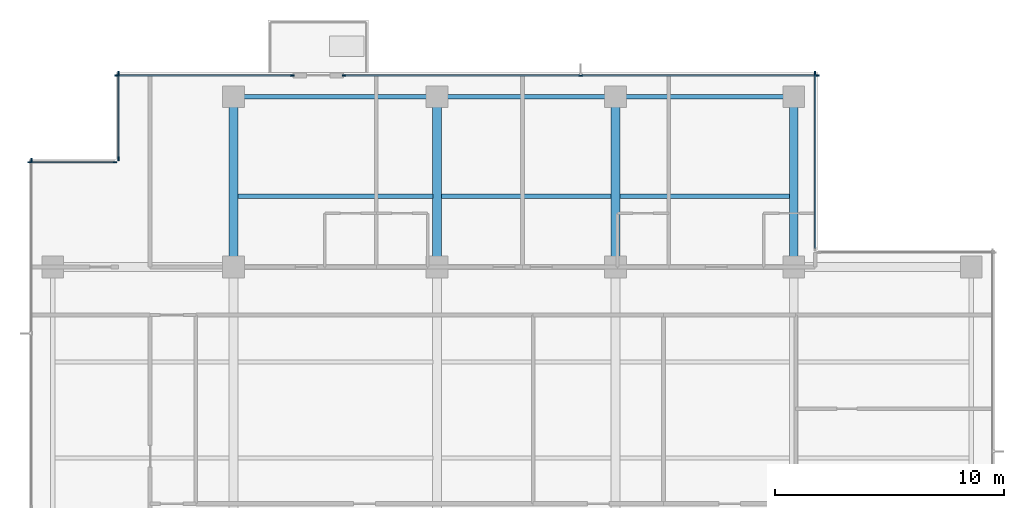
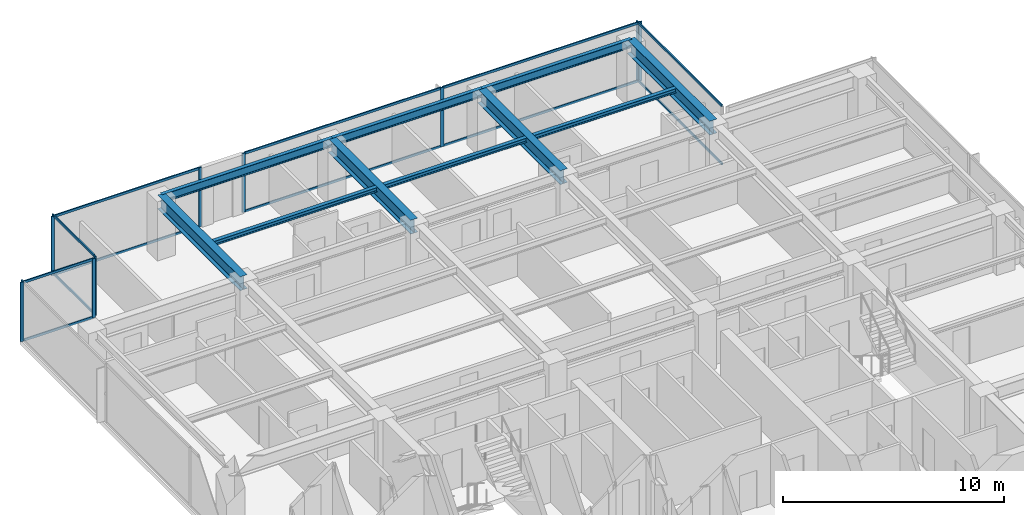
# One storey, part 5 of 14: 23 members, 10 beams, 6 elements without a shape of their own.
"""IFC4 building model written with IfcOpenShell, lengths in metres."""

from ifc_helpers import new_model, si_unit, direction, frame, origin, origin_2d, place, context, subcontext, project, spatial, rectangle, i_section, extrude, material, layer, layer_set, material_profile, profile_set, type_object, element, aggregate, save


model = new_model("IFC4")

# Units and contexts
model_context = context("Model", 3, precision=1e-05, world=origin(), true_north=direction((0.0, 1.0)))
body_context = subcontext(model_context, "Body", "Model", "MODEL_VIEW")
ifc_project = project(units=[si_unit("LENGTHUNIT", "METRE"), si_unit("AREAUNIT", "SQUARE_METRE"), si_unit("VOLUMEUNIT", "CUBIC_METRE"), si_unit("PLANEANGLEUNIT", "RADIAN"), si_unit("MASSUNIT", "GRAM", prefix="KILO")], contexts=[model_context])

# Site, building, storey
site_placement = place(None, origin())
site = spatial("IfcSite", under=ifc_project, at=site_placement, CompositionType="ELEMENT")
building_placement = place(site_placement, origin())
building = spatial("IfcBuilding", under=site, at=building_placement, Name="Qalmaran Belvedere Hotel", CompositionType="ELEMENT")
storey_placement = place(building_placement, frame((0.0, 0.0, 228.39990234375)))
storey = spatial("IfcBuildingStorey", under=building, at=storey_placement, Name="L58", CompositionType="ELEMENT", Elevation=228.39990234375)

# Beams
ifc_material_1 = material(Name="Steel S355JR", Category="steel")
ifc_material_profile_1 = material_profile(ifc_material_1, i_section(OverallWidth=0.201904296875, OverallDepth=0.2470703125, WebThickness=0.00732421875, FlangeThickness=0.010986328125, FilletRadius=0.011962890625, at=origin_2d()), Name="W250X49")
ifc_profile_set_1 = profile_set([ifc_material_profile_1], Name="Steel S355JR")
beam_type_1 = type_object("IfcBeamType", Name="BM-JST-W250X49", PredefinedType="JOIST", material=ifc_profile_set_1)
beam_1_placement = place(storey_placement, frame((20.488525390625, 36.10009765625, 3.13671875), z_axis=(1.0, 0.0, 0.0), x_axis=(0.0, 1.0, 0.0)))
element("IfcBeam", 1, at=beam_1_placement, inside=storey, type_object=beam_type_1, Name="L58 North Floor Joist 042", PredefinedType="JOIST", context=body_context, shape_type="SweptSolid", body=[
    extrude(i_section(OverallWidth=0.201904296875, OverallDepth=0.2470703125, WebThickness=0.00732421875, FlangeThickness=0.010986328125, FilletRadius=0.011962890625, at=origin_2d()), origin(), (0.0, 0.0, 1.0), 8.52294921875),
])
for number, where, z_axis, x_axis, name in (
    (2, (29.388427734375, 36.10009765625, 3.13671875), (1.0, 0.0, 0.0), (0.0, 1.0, 0.0), "L58 North Floor Joist 043"),
    (3, (37.1884765625, 36.10009765625, 3.13671875), (1.0, 0.0, 0.0), (0.0, 1.0, 0.0), "L58 North Floor Joist 044"),
):
    element("IfcBeam", number, at=place(storey_placement, frame(where, z_axis=z_axis, x_axis=x_axis)), inside=storey, type_object=beam_type_1, Name=name, PredefinedType="JOIST", context=body_context, shape_type="SweptSolid", body=[
        extrude(i_section(OverallWidth=0.201904296875, OverallDepth=0.2470703125, WebThickness=0.00732421875, FlangeThickness=0.010986328125, FilletRadius=0.011962890625, at=origin_2d()), origin(), (0.0, 0.0, 1.0), 7.423095703125),
    ])
ifc_material_profile_2 = material_profile(ifc_material_1, i_section(OverallWidth=0.381103515625, OverallDepth=0.77294921875, WebThickness=0.0166015625, FlangeThickness=0.027099609375, FilletRadius=0.02197265625, at=origin_2d()), Name="W760X257")
ifc_profile_set_2 = profile_set([ifc_material_profile_2], Name="Steel S355JR")
beam_type_2 = type_object("IfcBeamType", Name="BM-PG4-W760X257", PredefinedType="USERDEFINED", material=ifc_profile_set_2)
for number, where, z_axis, x_axis, name in (
    (4, (20.300048828125, 33.0, 2.87353515625), (0.0, 1.0, 0.0), (-1.0, 0.0, 0.0), "L58 North Bay Girder 15"),
    (5, (29.199951171875, 33.0, 2.87353515625), (0.0, 1.0, 0.0), (-1.0, 0.0, 0.0), "L58 North Bay Girder 17"),
    (6, (37.0, 33.0, 2.87353515625), (0.0, 1.0, 0.0), (-1.0, 0.0, 0.0), "L58 North Bay Girder 19"),
    (7, (44.800048828125, 33.0, 2.87353515625), (0.0, 1.0, 0.0), (-1.0, 0.0, 0.0), "L58 North Bay Girder 21"),
):
    element("IfcBeam", number, at=place(storey_placement, frame(where, z_axis=z_axis, x_axis=x_axis)), inside=storey, type_object=beam_type_2, Name=name, ObjectType="GIRDER", PredefinedType="USERDEFINED", context=body_context, shape_type="SweptSolid", body=[
        extrude(i_section(OverallWidth=0.381103515625, OverallDepth=0.77294921875, WebThickness=0.0166015625, FlangeThickness=0.027099609375, FilletRadius=0.02197265625, at=origin_2d()), origin(), (0.0, 0.0, 1.0), 7.449951171875),
    ])
ifc_material_profile_3 = material_profile(ifc_material_1, i_section(OverallWidth=0.19189453125, OverallDepth=0.462890625, WebThickness=0.010498046875, FlangeThickness=0.017578125, FilletRadius=0.01611328125, at=origin_2d()), Name="W460X89")
ifc_profile_set_3 = profile_set([ifc_material_profile_3], Name="Steel S355JR")
beam_type_3 = type_object("IfcBeamType", Name="BM-SP2-W460X89", PredefinedType="SPANDREL", material=ifc_profile_set_3)
beam_2_placement = place(storey_placement, frame((20.300048828125, 40.449951171875, 3.028564453125), z_axis=(1.0, 0.0, 0.0), x_axis=(0.0, 1.0, 0.0)))
element("IfcBeam", 8, at=beam_2_placement, inside=storey, type_object=beam_type_3, Name="L58 Perimeter Spandrel 05", PredefinedType="SPANDREL", context=body_context, shape_type="SweptSolid", body=[
    extrude(i_section(OverallWidth=0.19189453125, OverallDepth=0.462890625, WebThickness=0.010498046875, FlangeThickness=0.017578125, FilletRadius=0.01611328125, at=origin_2d()), origin(), (0.0, 0.0, 1.0), 8.89990234375),
])
for number, where, z_axis, x_axis, name in (
    (9, (29.199951171875, 40.449951171875, 3.028564453125), (1.0, 0.0, 0.0), (0.0, 1.0, 0.0), "L58 Perimeter Spandrel 06"),
    (10, (37.0, 40.449951171875, 3.028564453125), (1.0, 0.0, 0.0), (0.0, 1.0, 0.0), "L58 Perimeter Spandrel 07"),
):
    element("IfcBeam", number, at=place(storey_placement, frame(where, z_axis=z_axis, x_axis=x_axis)), inside=storey, type_object=beam_type_3, Name=name, PredefinedType="SPANDREL", context=body_context, shape_type="SweptSolid", body=[
        extrude(i_section(OverallWidth=0.19189453125, OverallDepth=0.462890625, WebThickness=0.010498046875, FlangeThickness=0.017578125, FilletRadius=0.01611328125, at=origin_2d()), origin(), (0.0, 0.0, 1.0), 7.800048828125),
    ])

# Curtain wall, member
ifc_material_2 = material(Name="Anodised Bronze Aluminium", Category="aluminium")
ifc_layer = layer(ifc_material_2, 0.18994140625, Name="Anodised Bronze Aluminium")
ifc_layer_set = layer_set([ifc_layer], Name="Anodised Bronze Aluminium")
curtain_wall_type = type_object("IfcCurtainWallType", Name="CW5-TOWER-UPPER", PredefinedType="NOTDEFINED", material=ifc_layer_set)
curtain_wall_1_placement = place(storey_placement, origin())
curtain_wall_1 = element("IfcCurtainWall", 11, at=curtain_wall_1_placement, inside=storey, type_object=curtain_wall_type, Name="L58 Curtain Wall CW5", PredefinedType="NOTDEFINED")
ifc_material_profile_4 = material_profile(ifc_material_2, rectangle(XDim=0.06494140625, YDim=0.1650390625, at=origin_2d()), Name="CWM65X165")
ifc_profile_set_4 = profile_set([ifc_material_profile_4], Name="Anodised Bronze Aluminium")
member_type_1 = type_object("IfcMemberType", Name="CWM-65X165", PredefinedType="MULLION", material=ifc_profile_set_4)
member_1_placement = place(storey_placement, frame((45.72998046875, 41.467529296875, 0.0), z_axis=(0.0, 0.0, 1.0), x_axis=(-1.0, 0.0, 0.0)))
member_1 = element("IfcMember", 12, at=member_1_placement, type_object=member_type_1, Name="CW5 mullion 2", PredefinedType="MULLION", context=body_context, shape_type="SweptSolid", body=[
    extrude(rectangle(XDim=0.06494140625, YDim=0.1650390625, at=origin_2d()), origin(), (0.0, 0.0, 1.0), 3.260009765625),
])

# Curtain wall, members
curtain_wall_2_placement = place(storey_placement, origin())
curtain_wall_2 = element("IfcCurtainWall", 13, at=curtain_wall_2_placement, inside=storey, type_object=curtain_wall_type, Name="L58 Curtain Wall CW5", PredefinedType="NOTDEFINED")
member_2_placement = place(storey_placement, frame((22.867431640625, 41.3798828125, 0.0), z_axis=(0.0, 0.0, 1.0), x_axis=(0.0, -1.0, 0.0)))
member_2 = element("IfcMember", 14, at=member_2_placement, type_object=member_type_1, Name="CW5 mullion 1", PredefinedType="MULLION", context=body_context, shape_type="SweptSolid", body=[
    extrude(rectangle(XDim=0.06494140625, YDim=0.1650390625, at=origin_2d()), origin(), (0.0, 0.0, 1.0), 3.260009765625),
])
member_3_placement = place(storey_placement, frame((15.1826171875, 41.3798828125, 0.0), z_axis=(0.0, 0.0, 1.0), x_axis=(0.0, -1.0, 0.0)))
member_3 = element("IfcMember", 15, at=member_3_placement, type_object=member_type_1, Name="CW5 mullion 2", PredefinedType="MULLION", context=body_context, shape_type="SweptSolid", body=[
    extrude(rectangle(XDim=0.06494140625, YDim=0.1650390625, at=origin_2d()), origin(), (0.0, 0.0, 1.0), 3.260009765625),
])

curtain_wall_3_placement = place(storey_placement, origin())
curtain_wall_3 = element("IfcCurtainWall", 16, at=curtain_wall_3_placement, inside=storey, type_object=curtain_wall_type, Name="L58 Curtain Wall CW5", PredefinedType="NOTDEFINED")
member_4_placement = place(storey_placement, frame((45.8173828125, 41.3798828125, 0.0), z_axis=(0.0, 0.0, 1.0), x_axis=(0.0, -1.0, 0.0)))
member_4 = element("IfcMember", 17, at=member_4_placement, type_object=member_type_1, Name="CW5 mullion 1", PredefinedType="MULLION", context=body_context, shape_type="SweptSolid", body=[
    extrude(rectangle(XDim=0.06494140625, YDim=0.1650390625, at=origin_2d()), origin(), (0.0, 0.0, 1.0), 3.260009765625),
])
member_5_placement = place(storey_placement, frame((35.47509765625, 41.3798828125, 0.0), z_axis=(0.0, 0.0, 1.0), x_axis=(0.0, -1.0, 0.0)))
member_5 = element("IfcMember", 18, at=member_5_placement, type_object=member_type_1, Name="CW5 mullion 2", PredefinedType="MULLION", context=body_context, shape_type="SweptSolid", body=[
    extrude(rectangle(XDim=0.06494140625, YDim=0.1650390625, at=origin_2d()), origin(), (0.0, 0.0, 1.0), 3.260009765625),
])
member_6_placement = place(storey_placement, frame((25.132568359375, 41.3798828125, 0.0), z_axis=(0.0, 0.0, 1.0), x_axis=(0.0, -1.0, 0.0)))
member_6 = element("IfcMember", 19, at=member_6_placement, type_object=member_type_1, Name="CW5 mullion 3", PredefinedType="MULLION", context=body_context, shape_type="SweptSolid", body=[
    extrude(rectangle(XDim=0.06494140625, YDim=0.1650390625, at=origin_2d()), origin(), (0.0, 0.0, 1.0), 3.260009765625),
])

curtain_wall_4_placement = place(storey_placement, origin())
curtain_wall_4 = element("IfcCurtainWall", 20, at=curtain_wall_4_placement, inside=storey, type_object=curtain_wall_type, Name="L58 Curtain Wall CW5", PredefinedType="NOTDEFINED")
member_7_placement = place(storey_placement, frame((15.27001953125, 41.467529296875, 0.0), z_axis=(0.0, 0.0, 1.0), x_axis=(1.0, 0.0, 0.0)))
member_7 = element("IfcMember", 21, at=member_7_placement, type_object=member_type_1, Name="CW5 mullion 1", PredefinedType="MULLION", context=body_context, shape_type="SweptSolid", body=[
    extrude(rectangle(XDim=0.06494140625, YDim=0.1650390625, at=origin_2d()), origin(), (0.0, 0.0, 1.0), 3.260009765625),
])
member_8_placement = place(storey_placement, frame((15.27001953125, 37.732421875, 0.0), z_axis=(0.0, 0.0, 1.0), x_axis=(1.0, 0.0, 0.0)))
member_8 = element("IfcMember", 22, at=member_8_placement, type_object=member_type_1, Name="CW5 mullion 2", PredefinedType="MULLION", context=body_context, shape_type="SweptSolid", body=[
    extrude(rectangle(XDim=0.06494140625, YDim=0.1650390625, at=origin_2d()), origin(), (0.0, 0.0, 1.0), 3.260009765625),
])

curtain_wall_5_placement = place(storey_placement, origin())
curtain_wall_5 = element("IfcCurtainWall", 23, at=curtain_wall_5_placement, inside=storey, type_object=curtain_wall_type, Name="L58 Curtain Wall CW5", PredefinedType="NOTDEFINED")
member_9_placement = place(storey_placement, frame((15.117431640625, 37.580078125, 0.0), z_axis=(0.0, 0.0, 1.0), x_axis=(0.0, -1.0, 0.0)))
member_9 = element("IfcMember", 24, at=member_9_placement, type_object=member_type_1, Name="CW5 mullion 1", PredefinedType="MULLION", context=body_context, shape_type="SweptSolid", body=[
    extrude(rectangle(XDim=0.06494140625, YDim=0.1650390625, at=origin_2d()), origin(), (0.0, 0.0, 1.0), 3.260009765625),
])
member_10_placement = place(storey_placement, frame((11.382568359375, 37.580078125, 0.0), z_axis=(0.0, 0.0, 1.0), x_axis=(0.0, -1.0, 0.0)))
member_10 = element("IfcMember", 25, at=member_10_placement, type_object=member_type_1, Name="CW5 mullion 2", PredefinedType="MULLION", context=body_context, shape_type="SweptSolid", body=[
    extrude(rectangle(XDim=0.06494140625, YDim=0.1650390625, at=origin_2d()), origin(), (0.0, 0.0, 1.0), 3.260009765625),
])

# Curtain wall, member
curtain_wall_6_placement = place(storey_placement, origin())
curtain_wall_6 = element("IfcCurtainWall", 26, at=curtain_wall_6_placement, inside=storey, type_object=curtain_wall_type, Name="L58 Curtain Wall CW5", PredefinedType="NOTDEFINED")
member_11_placement = place(storey_placement, frame((11.469970703125, 37.66748046875, 0.0), z_axis=(0.0, 0.0, 1.0), x_axis=(1.0, 0.0, 0.0)))
member_11 = element("IfcMember", 27, at=member_11_placement, type_object=member_type_1, Name="CW5 mullion 1", PredefinedType="MULLION", context=body_context, shape_type="SweptSolid", body=[
    extrude(rectangle(XDim=0.06494140625, YDim=0.1650390625, at=origin_2d()), origin(), (0.0, 0.0, 1.0), 3.260009765625),
])
aggregate(curtain_wall_6, [member_11])

# Member
ifc_material_profile_5 = material_profile(ifc_material_2, rectangle(XDim=0.06494140625, YDim=0.1298828125, at=origin_2d()), Name="CWT65X130")
ifc_profile_set_5 = profile_set([ifc_material_profile_5], Name="Anodised Bronze Aluminium")
member_type_2 = type_object("IfcMemberType", Name="CWT-65X130", PredefinedType="USERDEFINED", material=ifc_profile_set_5)
member_12_placement = place(storey_placement, frame((45.72998046875, 33.81494140625, 0.03271484375), z_axis=(0.0, 1.0, 0.0), x_axis=(-1.0, 0.0, 0.0)))
member_12 = element("IfcMember", 28, at=member_12_placement, type_object=member_type_2, Name="CW5 transom 1.1", ObjectType="TRANSOM", PredefinedType="USERDEFINED", context=body_context, shape_type="SweptSolid", body=[
    extrude(rectangle(XDim=0.06494140625, YDim=0.1298828125, at=origin_2d()), origin(), (0.0, 0.0, 1.0), 7.6201171875),
])

member_13_placement = place(storey_placement, frame((45.72998046875, 33.81494140625, 3.2275390625), z_axis=(0.0, 1.0, 0.0), x_axis=(-1.0, 0.0, 0.0)))
member_13 = element("IfcMember", 29, at=member_13_placement, type_object=member_type_2, Name="CW5 transom 1.2", ObjectType="TRANSOM", PredefinedType="USERDEFINED", context=body_context, shape_type="SweptSolid", body=[
    extrude(rectangle(XDim=0.06494140625, YDim=0.1298828125, at=origin_2d()), origin(), (0.0, 0.0, 1.0), 7.6201171875),
])

aggregate(curtain_wall_1, [member_1, member_12, member_13])

member_14_placement = place(storey_placement, frame((22.8349609375, 41.3798828125, 0.03271484375), z_axis=(-1.0, 0.0, 0.0), x_axis=(0.0, -1.0, 0.0)))
member_14 = element("IfcMember", 30, at=member_14_placement, type_object=member_type_2, Name="CW5 transom 1.1", ObjectType="TRANSOM", PredefinedType="USERDEFINED", context=body_context, shape_type="SweptSolid", body=[
    extrude(rectangle(XDim=0.06494140625, YDim=0.1298828125, at=origin_2d()), origin(), (0.0, 0.0, 1.0), 7.619873046875),
])

member_15_placement = place(storey_placement, frame((22.8349609375, 41.3798828125, 3.2275390625), z_axis=(-1.0, 0.0, 0.0), x_axis=(0.0, -1.0, 0.0)))
member_15 = element("IfcMember", 31, at=member_15_placement, type_object=member_type_2, Name="CW5 transom 1.2", ObjectType="TRANSOM", PredefinedType="USERDEFINED", context=body_context, shape_type="SweptSolid", body=[
    extrude(rectangle(XDim=0.06494140625, YDim=0.1298828125, at=origin_2d()), origin(), (0.0, 0.0, 1.0), 7.619873046875),
])

aggregate(curtain_wall_2, [member_2, member_3, member_14, member_15])

member_16_placement = place(storey_placement, frame((45.784912109375, 41.3798828125, 0.03271484375), z_axis=(-1.0, 0.0, 0.0), x_axis=(0.0, -1.0, 0.0)))
member_16 = element("IfcMember", 32, at=member_16_placement, type_object=member_type_2, Name="CW5 transom 1.1", ObjectType="TRANSOM", PredefinedType="USERDEFINED", context=body_context, shape_type="SweptSolid", body=[
    extrude(rectangle(XDim=0.06494140625, YDim=0.1298828125, at=origin_2d()), origin(), (0.0, 0.0, 1.0), 10.27734375),
])

member_17_placement = place(storey_placement, frame((45.784912109375, 41.3798828125, 3.2275390625), z_axis=(-1.0, 0.0, 0.0), x_axis=(0.0, -1.0, 0.0)))
member_17 = element("IfcMember", 33, at=member_17_placement, type_object=member_type_2, Name="CW5 transom 1.2", ObjectType="TRANSOM", PredefinedType="USERDEFINED", context=body_context, shape_type="SweptSolid", body=[
    extrude(rectangle(XDim=0.06494140625, YDim=0.1298828125, at=origin_2d()), origin(), (0.0, 0.0, 1.0), 10.27734375),
])

member_18_placement = place(storey_placement, frame((35.4423828125, 41.3798828125, 0.03271484375), z_axis=(-1.0, 0.0, 0.0), x_axis=(0.0, -1.0, 0.0)))
member_18 = element("IfcMember", 34, at=member_18_placement, type_object=member_type_2, Name="CW5 transom 2.1", ObjectType="TRANSOM", PredefinedType="USERDEFINED", context=body_context, shape_type="SweptSolid", body=[
    extrude(rectangle(XDim=0.06494140625, YDim=0.1298828125, at=origin_2d()), origin(), (0.0, 0.0, 1.0), 10.27734375),
])

member_19_placement = place(storey_placement, frame((35.4423828125, 41.3798828125, 3.2275390625), z_axis=(-1.0, 0.0, 0.0), x_axis=(0.0, -1.0, 0.0)))
member_19 = element("IfcMember", 35, at=member_19_placement, type_object=member_type_2, Name="CW5 transom 2.2", ObjectType="TRANSOM", PredefinedType="USERDEFINED", context=body_context, shape_type="SweptSolid", body=[
    extrude(rectangle(XDim=0.06494140625, YDim=0.1298828125, at=origin_2d()), origin(), (0.0, 0.0, 1.0), 10.27734375),
])

aggregate(curtain_wall_3, [member_4, member_5, member_6, member_16, member_17, member_18, member_19])

member_20_placement = place(storey_placement, frame((15.27001953125, 41.43505859375, 0.03271484375), z_axis=(0.0, -1.0, 0.0), x_axis=(1.0, 0.0, 0.0)))
member_20 = element("IfcMember", 36, at=member_20_placement, type_object=member_type_2, Name="CW5 transom 1.1", ObjectType="TRANSOM", PredefinedType="USERDEFINED", context=body_context, shape_type="SweptSolid", body=[
    extrude(rectangle(XDim=0.06494140625, YDim=0.1298828125, at=origin_2d()), origin(), (0.0, 0.0, 1.0), 3.670166015625),
])

member_21_placement = place(storey_placement, frame((15.27001953125, 41.43505859375, 3.2275390625), z_axis=(0.0, -1.0, 0.0), x_axis=(1.0, 0.0, 0.0)))
member_21 = element("IfcMember", 37, at=member_21_placement, type_object=member_type_2, Name="CW5 transom 1.2", ObjectType="TRANSOM", PredefinedType="USERDEFINED", context=body_context, shape_type="SweptSolid", body=[
    extrude(rectangle(XDim=0.06494140625, YDim=0.1298828125, at=origin_2d()), origin(), (0.0, 0.0, 1.0), 3.670166015625),
])

aggregate(curtain_wall_4, [member_7, member_8, member_20, member_21])

member_22_placement = place(storey_placement, frame((15.0849609375, 37.580078125, 0.03271484375), z_axis=(-1.0, 0.0, 0.0), x_axis=(0.0, -1.0, 0.0)))
member_22 = element("IfcMember", 38, at=member_22_placement, type_object=member_type_2, Name="CW5 transom 1.1", ObjectType="TRANSOM", PredefinedType="USERDEFINED", context=body_context, shape_type="SweptSolid", body=[
    extrude(rectangle(XDim=0.06494140625, YDim=0.1298828125, at=origin_2d()), origin(), (0.0, 0.0, 1.0), 3.669921875),
])

member_23_placement = place(storey_placement, frame((15.0849609375, 37.580078125, 3.2275390625), z_axis=(-1.0, 0.0, 0.0), x_axis=(0.0, -1.0, 0.0)))
member_23 = element("IfcMember", 39, at=member_23_placement, type_object=member_type_2, Name="CW5 transom 1.2", ObjectType="TRANSOM", PredefinedType="USERDEFINED", context=body_context, shape_type="SweptSolid", body=[
    extrude(rectangle(XDim=0.06494140625, YDim=0.1298828125, at=origin_2d()), origin(), (0.0, 0.0, 1.0), 3.669921875),
])

aggregate(curtain_wall_5, [member_9, member_10, member_22, member_23])

save(model, "model.ifc")
